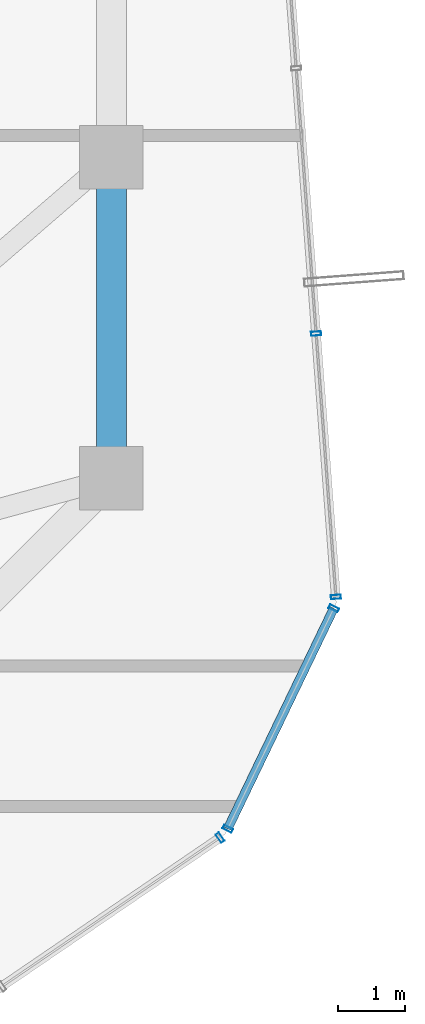
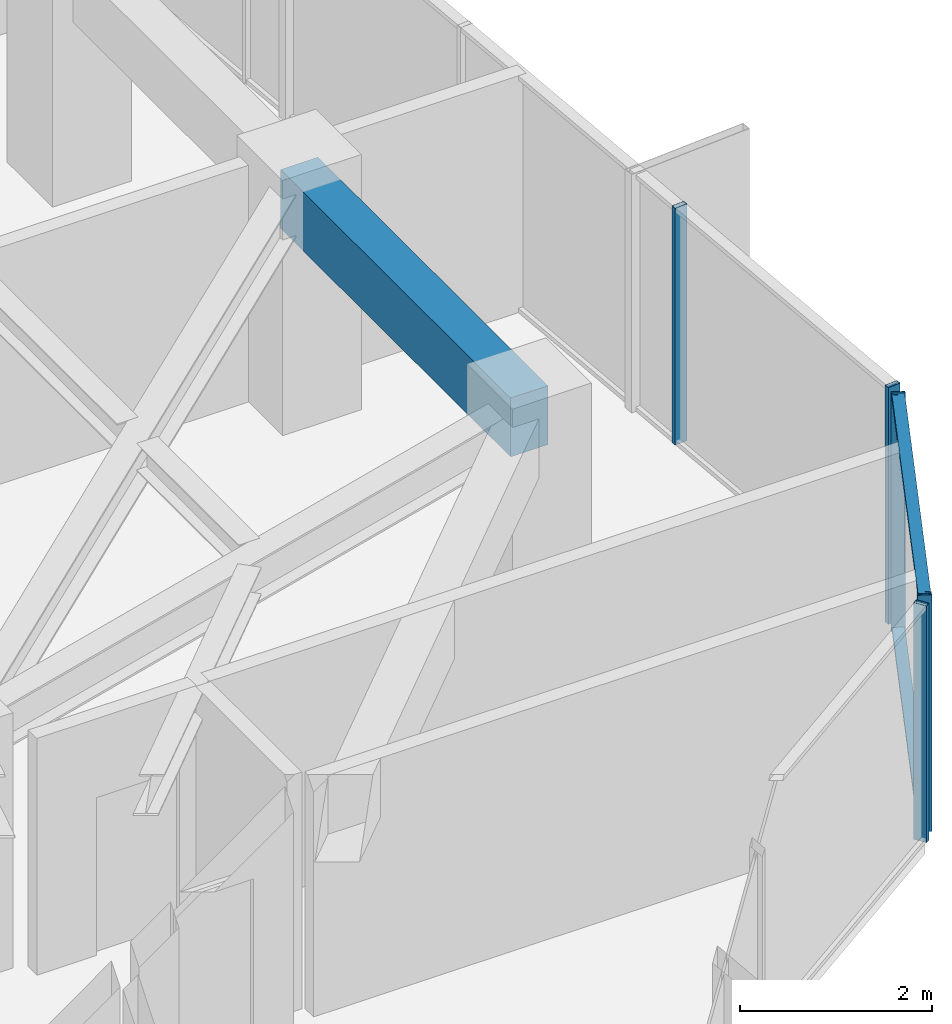
# One storey, part 19 of 34: 7 members, 1 beam, 3 elements without a shape of their own.
"""IFC4 building model written with IfcOpenShell, lengths in metres."""

from ifc_helpers import new_model, si_unit, direction, frame, origin, origin_2d, place, context, subcontext, project, spatial, rectangle, hollow_rectangle, extrude, source, transform, mapped, material, layer, layer_set, material_profile, profile_set, type_object, element, aggregate, save


model = new_model("IFC4")

# Units and contexts
model_context = context("Model", 3, precision=1e-05, world=origin(), true_north=direction((0.0, 1.0)))
body_context = subcontext(model_context, "Body", "Model", "MODEL_VIEW")
ifc_project = project(units=[si_unit("LENGTHUNIT", "METRE"), si_unit("AREAUNIT", "SQUARE_METRE"), si_unit("VOLUMEUNIT", "CUBIC_METRE"), si_unit("PLANEANGLEUNIT", "RADIAN"), si_unit("MASSUNIT", "GRAM", prefix="KILO")], contexts=[model_context])

# Site, building, storey
site_placement = place(None, origin())
site = spatial("IfcSite", under=ifc_project, at=site_placement, CompositionType="ELEMENT")
building_placement = place(site_placement, origin())
building = spatial("IfcBuilding", under=site, at=building_placement, Name="Veraguas Prism Commons", CompositionType="ELEMENT")
storey_placement = place(building_placement, frame((0.0, 0.0, 191.85009765625)))
storey = spatial("IfcBuildingStorey", under=building, at=storey_placement, Name="L54", CompositionType="ELEMENT", Elevation=191.85009765625)

# Beam
ifc_material_1 = material(Name="Concrete C50/60", Category="concrete")
ifc_material_profile_1 = material_profile(ifc_material_1, rectangle(XDim=0.449951171875, YDim=0.75, at=origin_2d()), Name="RC450X750")
ifc_profile_set_1 = profile_set([ifc_material_profile_1], Name="Concrete C50/60")
beam_type = type_object("IfcBeamType", Name="Perimeter Spandrel Upper RC 450x750", PredefinedType="SPANDREL", material=ifc_profile_set_1)
beam_placement = place(storey_placement, frame((38.89990234375, 19.199951171875, 2.639892578125), z_axis=(0.0, 1.0, 0.0), x_axis=(-1.0, 0.0, 0.0)))
element("IfcBeam", 1, at=beam_placement, inside=storey, type_object=beam_type, Name="Perimeter Spandrel Beam L54-SP01", PredefinedType="SPANDREL", context=body_context, shape_type="SweptSolid", body=[
    extrude(rectangle(XDim=0.449951171875, YDim=0.75, at=origin_2d()), origin(), (0.0, 0.0, 1.0), 4.800048828125),
])

# Curtain wall, member
ifc_material_2 = material(Name="Anodised aluminium EN AW-6063 T6", Category="aluminium")
ifc_layer = layer(ifc_material_2, 0.14990234375, Name="Unitised Flush Curtain Wall Zone 3", Category="aluminium")
ifc_layer_set = layer_set([ifc_layer], Name="Anodised aluminium EN AW-6063 T6")
curtain_wall_type = type_object("IfcCurtainWallType", Name="Unitised Flush Curtain Wall Zone 3", PredefinedType="NOTDEFINED", material=ifc_layer_set)
curtain_wall_1_placement = place(storey_placement, origin())
curtain_wall_1 = element("IfcCurtainWall", 2, at=curtain_wall_1_placement, inside=storey, type_object=curtain_wall_type, Name="Tower Facade Curtain Wall L54-F5", PredefinedType="NOTDEFINED")
ifc_material_profile_2 = material_profile(ifc_material_2, hollow_rectangle(XDim=0.06005859375, YDim=0.14990234375, WallThickness=0.0029296875, at=origin_2d()), Name="AL60X150X3")
ifc_profile_set_2 = profile_set([ifc_material_profile_2], Name="Anodised aluminium EN AW-6063 T6")
member_type_1 = type_object("IfcMemberType", Name="Curtain Wall Mullion Upper AL 60x150x3", PredefinedType="MULLION", material=ifc_profile_set_2)
shared_shape_1 = source(origin(), body_context, "Body", "SweptSolid", [
    extrude(hollow_rectangle(XDim=0.06005859375, YDim=0.14990234375, WallThickness=0.0029296875, at=origin_2d()), origin(), (0.0, 0.0, 1.0), 3.014892578125),
])
member_1_placement = place(storey_placement, frame((40.52392578125, 13.83349609375, 0.0), z_axis=(0.0, 0.0, 1.0), x_axis=(0.826095343869, 0.56353037437, 0.0)))
member_1 = element("IfcMember", 3, at=member_1_placement, type_object=member_type_1, Name="CW-Z3 Mullion 5", PredefinedType="MULLION", context=body_context, shape_type="MappedRepresentation", body=[
    mapped(shared_shape_1, transform((0.0, 0.0, 0.0), scale=1.0)),
])
aggregate(curtain_wall_1, [member_1])

# Curtain wall, members
curtain_wall_2_placement = place(storey_placement, origin())
curtain_wall_2 = element("IfcCurtainWall", 4, at=curtain_wall_2_placement, inside=storey, type_object=curtain_wall_type, Name="Tower Facade Curtain Wall L54-F6", PredefinedType="NOTDEFINED")
member_2_placement = place(storey_placement, frame((42.254150390625, 17.428955078125, 0.0), z_axis=(0.0, 0.0, 1.0), x_axis=(-0.074975245993, 0.997185395244, 0.0)))
member_2 = element("IfcMember", 5, at=member_2_placement, type_object=member_type_1, Name="CW-Z3 Mullion 1", PredefinedType="MULLION", context=body_context, shape_type="MappedRepresentation", body=[
    mapped(shared_shape_1, transform((0.0, 0.0, 0.0), scale=1.0)),
])
member_3_placement = place(storey_placement, frame((41.95849609375, 21.363525390625, 0.0), z_axis=(0.0, 0.0, 1.0), x_axis=(-0.074975245993, 0.997185395244, 0.0)))
member_3 = element("IfcMember", 6, at=member_3_placement, type_object=member_type_1, Name="CW-Z3 Mullion 2", PredefinedType="MULLION", context=body_context, shape_type="MappedRepresentation", body=[
    mapped(shared_shape_1, transform((0.0, 0.0, 0.0), scale=1.0)),
])
aggregate(curtain_wall_2, [member_2, member_3])

curtain_wall_3_placement = place(storey_placement, origin())
curtain_wall_3 = element("IfcCurtainWall", 7, at=curtain_wall_3_placement, inside=storey, type_object=curtain_wall_type, Name="Chamfer Curtain Wall L54-C6", PredefinedType="NOTDEFINED")
member_4_placement = place(storey_placement, frame((40.63720703125, 13.96533203125, 0.0), z_axis=(0.0, 0.0, 1.0), x_axis=(0.433679529265, 0.901067181678, 0.0)))
member_4 = element("IfcMember", 8, at=member_4_placement, type_object=member_type_1, Name="CW-Z3 Mullion 1", PredefinedType="MULLION", context=body_context, shape_type="MappedRepresentation", body=[
    mapped(shared_shape_1, transform((0.0, 0.0, 0.0), scale=1.0)),
])
member_5_placement = place(storey_placement, frame((42.221923828125, 17.258056640625, 0.0), z_axis=(0.0, 0.0, 1.0), x_axis=(0.433679529265, 0.901067181678, 0.0)))
member_5 = element("IfcMember", 9, at=member_5_placement, type_object=member_type_1, Name="CW-Z3 Mullion 2", PredefinedType="MULLION", context=body_context, shape_type="MappedRepresentation", body=[
    mapped(shared_shape_1, transform((0.0, 0.0, 0.0), scale=1.0)),
])
ifc_material_profile_3 = material_profile(ifc_material_2, hollow_rectangle(XDim=0.054931640625, YDim=0.135009765625, WallThickness=0.0029296875, at=origin_2d()), Name="AL55X135X3")
ifc_profile_set_3 = profile_set([ifc_material_profile_3], Name="Anodised aluminium EN AW-6063 T6")
member_type_2 = type_object("IfcMemberType", Name="Curtain Wall Transom Standard AL 55x135x3", PredefinedType="USERDEFINED", material=ifc_profile_set_3)
shared_shape_2 = source(origin(), body_context, "Body", "SweptSolid", [
    extrude(hollow_rectangle(XDim=0.054931640625, YDim=0.135009765625, WallThickness=0.0029296875, at=origin_2d()), origin(), (0.0, 0.0, 1.0), 3.654296875),
])
member_6_placement = place(storey_placement, frame((40.63720703125, 13.96533203125, 0.02734375), z_axis=(0.433666963224, 0.901073229548, 0.0), x_axis=(0.0, 0.0, 1.0)))
member_6 = element("IfcMember", 10, at=member_6_placement, type_object=member_type_2, Name="CW-Z3 Transom 1", ObjectType="TRANSOM", PredefinedType="USERDEFINED", context=body_context, shape_type="MappedRepresentation", body=[
    mapped(shared_shape_2, transform((0.0, 0.0, 0.0), scale=1.0)),
])
member_7_placement = place(storey_placement, frame((40.63720703125, 13.96533203125, 2.9873046875), z_axis=(0.433666963224, 0.901073229548, 0.0), x_axis=(0.0, 0.0, 1.0)))
member_7 = element("IfcMember", 11, at=member_7_placement, type_object=member_type_2, Name="CW-Z3 Transom 2", ObjectType="TRANSOM", PredefinedType="USERDEFINED", context=body_context, shape_type="MappedRepresentation", body=[
    mapped(shared_shape_2, transform((0.0, 0.0, 0.0), scale=1.0)),
])
aggregate(curtain_wall_3, [member_4, member_5, member_6, member_7])

save(model, "model.ifc")
